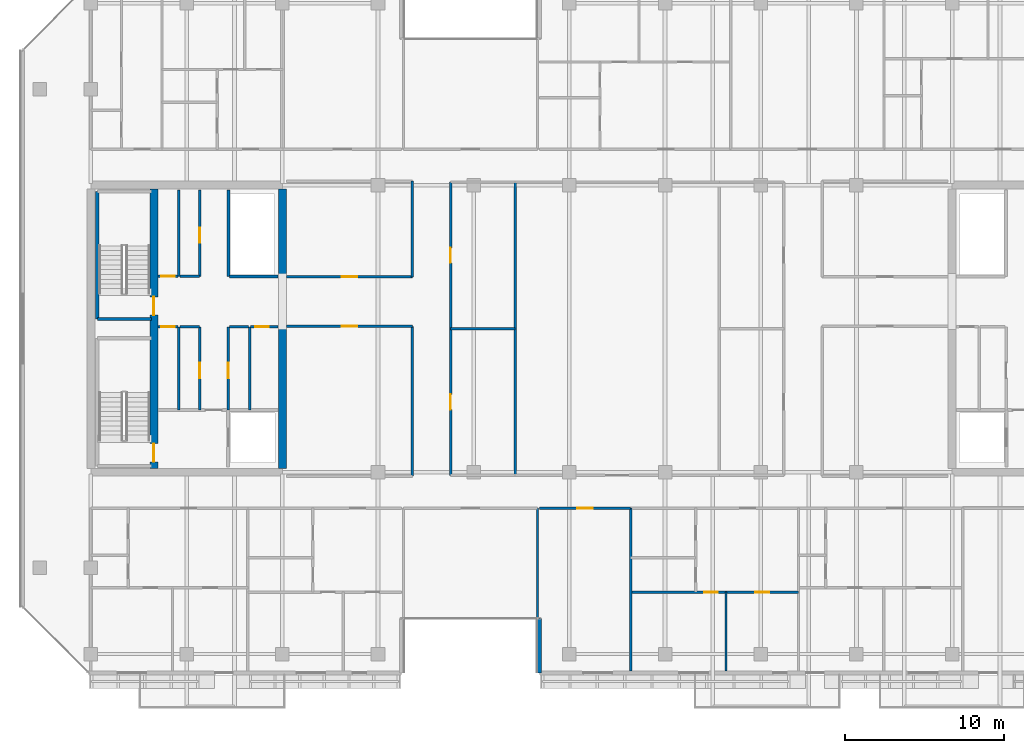
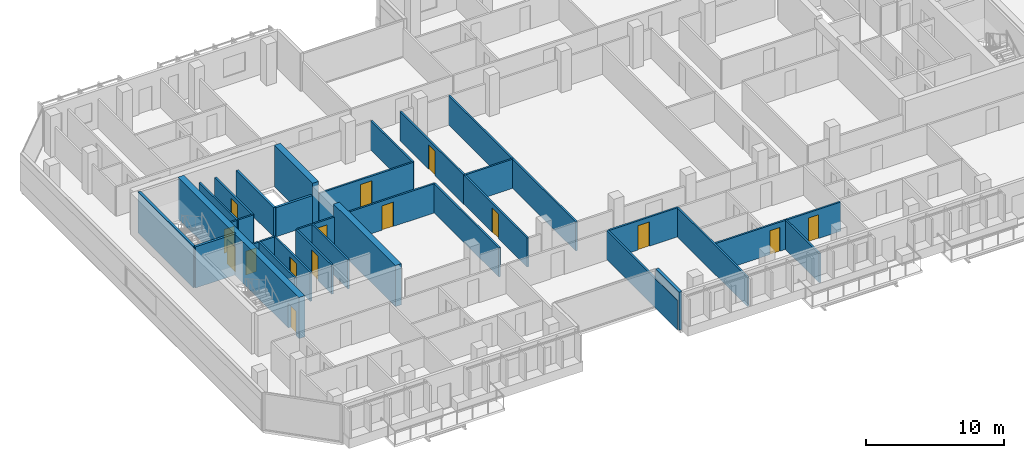
# One storey, part 20 of 31: 33 walls, 15 doors, 15 openings.
"""IFC4 building model written with IfcOpenShell, lengths in metres."""

from ifc_helpers import new_model, si_unit, direction, frame, frame_2d, origin, place, context, subcontext, project, spatial, rectangle, extrude, material, layer, layer_set, type_object, element, fill, save


model = new_model("IFC4")

# Units and contexts
model_context = context("Model", 3, precision=1e-05, world=origin(), true_north=direction((0.0, 1.0)))
body_context = subcontext(model_context, "Body", "Model", "MODEL_VIEW")
ifc_project = project(units=[si_unit("LENGTHUNIT", "METRE"), si_unit("AREAUNIT", "SQUARE_METRE"), si_unit("VOLUMEUNIT", "CUBIC_METRE"), si_unit("PLANEANGLEUNIT", "RADIAN"), si_unit("MASSUNIT", "GRAM", prefix="KILO")], contexts=[model_context])

# Site, building, storey
site_placement = place(None, origin())
site = spatial("IfcSite", under=ifc_project, at=site_placement, CompositionType="ELEMENT")
building_placement = place(site_placement, origin())
building = spatial("IfcBuilding", under=site, at=building_placement, Name="Tanjung Sevakor Pilgrim Tower", CompositionType="ELEMENT")
storey_placement = place(building_placement, frame((0.0, 0.0, 169.2900390625)))
storey = spatial("IfcBuildingStorey", under=building, at=storey_placement, Name="L47", CompositionType="ELEMENT", Elevation=169.2900390625)

# Walls
ifc_material_1 = material(Name="Concrete C60/75", Category="concrete")
ifc_layer_1 = layer(ifc_material_1, 0.5)
ifc_layer_set_1 = layer_set([ifc_layer_1], Name="WALL-CW-500")
wall_type_1 = type_object("IfcWallType", Name="WALL-CW-500", PredefinedType="SHEAR", material=ifc_layer_set_1)
wall_1_placement = place(storey_placement, frame((36.0, 24.85009765625, 0.0), z_axis=(0.0, 0.0, 1.0), x_axis=(0.0, 1.0, 0.0)))
element("IfcWall", 1, at=wall_1_placement, inside=storey, type_object=wall_type_1, Name="L47 W Core Inner Shear Wall South", PredefinedType="SHEAR", context=body_context, shape_type="SweptSolid", body=[
    extrude(rectangle(XDim=8.949951171875, YDim=0.5, at=frame_2d((4.47509765625, 0.0))), origin(), (0.0, 0.0, 1.0), 3.6298828125),
])
wall_2_placement = place(storey_placement, frame((36.0, 36.800048828125, 0.0), z_axis=(0.0, 0.0, 1.0), x_axis=(0.0, 1.0, 0.0)))
element("IfcWall", 2, at=wall_2_placement, inside=storey, type_object=wall_type_1, Name="L47 W Core Inner Shear Wall North", PredefinedType="SHEAR", context=body_context, shape_type="SweptSolid", body=[
    extrude(rectangle(XDim=5.550048828125, YDim=0.5, at=frame_2d((2.77490234375, 0.0))), origin(), (0.0, 0.0, 1.0), 3.6298828125),
])

# Wall, openings, doors
wall_3_placement = place(storey_placement, frame((27.949951171875, 24.85009765625, 0.0), z_axis=(0.0, 0.0, 1.0), x_axis=(0.0, 1.0, 0.0)))
wall_3 = element("IfcWall", 3, at=wall_3_placement, inside=storey, type_object=wall_type_1, Name="L47 W Core Stair Spine Wall", PredefinedType="SHEAR", context=body_context, shape_type="SweptSolid", body=[
    extrude(rectangle(XDim=17.5, YDim=0.5, at=frame_2d((8.75, 0.0))), origin(), (0.0, 0.0, 1.0), 3.6298828125),
])
opening_1_placement = place(wall_3_placement, frame((0.39990234375, 0.0, 0.0)))
opening_1 = element("IfcOpeningElement", 4, at=opening_1_placement, cuts=wall_3, Name="Opening ID-ST1", PredefinedType="OPENING", context=body_context, shape_type="SweptSolid", body=[
    extrude(rectangle(XDim=1.14990234375, YDim=2.14990234375, at=frame_2d((0.574951171875, 1.074951171875))), frame((0.0, 0.260009765625, 0.0), z_axis=(0.0, -1.0, 0.0), x_axis=(1.0, 0.0, 0.0)), (0.0, 0.0, 1.0), 0.52001953125),
])
opening_2_placement = place(wall_3_placement, frame((9.60009765625, 0.0, 0.0)))
opening_2 = element("IfcOpeningElement", 5, at=opening_2_placement, cuts=wall_3, Name="Opening ID-ST1", PredefinedType="OPENING", context=body_context, shape_type="SweptSolid", body=[
    extrude(rectangle(XDim=1.14990234375, YDim=2.14990234375, at=frame_2d((0.574951171875, 1.074951171875))), frame((0.0, 0.260009765625, 0.0), z_axis=(0.0, -1.0, 0.0), x_axis=(1.0, 0.0, 0.0)), (0.0, 0.0, 1.0), 0.52001953125),
])
ifc_material_2 = material(Name="Fire-Rated Steel S355J2", Category="steel")
door_type_1 = type_object("IfcDoorType", Name="DT-FIRE-1150", OperationType="NOTDEFINED", PredefinedType="DOOR", material=ifc_material_2)
door_1_placement = place(opening_1_placement, origin())
door_1 = element("IfcDoor", 6, at=door_1_placement, inside=storey, type_object=door_type_1, Name="L47 TS-W1 Stair Fire Door", OperationType="SINGLE_SWING_RIGHT", OverallHeight=2.14990234375, OverallWidth=1.14990234375, PredefinedType="DOOR", context=body_context, shape_type="SweptSolid", body=[
    extrude(rectangle(XDim=1.14990234375, YDim=2.14990234375, at=frame_2d((0.574951171875, 1.074951171875))), frame((0.0, 0.02490234375, 0.0), z_axis=(0.0, -1.0, 0.0), x_axis=(1.0, 0.0, 0.0)), (0.0, 0.0, 1.0), 0.050048828125),
])
fill(opening_1, door_1)
door_2_placement = place(opening_2_placement, origin())
door_2 = element("IfcDoor", 7, at=door_2_placement, inside=storey, type_object=door_type_1, Name="L47 TS-W2 Stair Fire Door", OperationType="SINGLE_SWING_LEFT", OverallHeight=2.14990234375, OverallWidth=1.14990234375, PredefinedType="DOOR", context=body_context, shape_type="SweptSolid", body=[
    extrude(rectangle(XDim=1.14990234375, YDim=2.14990234375, at=frame_2d((0.574951171875, 1.074951171875))), frame((0.0, 0.02490234375, 0.0), z_axis=(0.0, -1.0, 0.0), x_axis=(1.0, 0.0, 0.0)), (0.0, 0.0, 1.0), 0.050048828125),
])
fill(opening_2, door_2)

# Wall
ifc_material_3 = material(Name="Concrete C40/50", Category="concrete")
ifc_layer_2 = layer(ifc_material_3, 0.14990234375)
ifc_layer_set_2 = layer_set([ifc_layer_2], Name="WT-COMP-150")
wall_type_2 = type_object("IfcWallType", Name="WT-COMP-150", PredefinedType="SOLIDWALL", material=ifc_layer_set_2)
wall_4_placement = place(storey_placement, frame((29.52001953125, 28.5, 0.0), z_axis=(0.0, 0.0, 1.0), x_axis=(0.0, 1.0, 0.0)))
element("IfcWall", 8, at=wall_4_placement, inside=storey, type_object=wall_type_2, Name="L47 Partition IW-L47-003", PredefinedType="SOLIDWALL", context=body_context, shape_type="SweptSolid", body=[
    extrude(rectangle(XDim=5.219970703125, YDim=0.14990234375, at=frame_2d((2.60986328125, 0.0))), origin(), (0.0, 0.0, 1.0), 2.570068359375),
])

# Wall, opening, door
wall_5_placement = place(storey_placement, frame((28.219970703125, 33.719970703125, 0.0), z_axis=(0.0, 0.0, 1.0), x_axis=(1.0, 0.0, 0.0)))
wall_5 = element("IfcWall", 9, at=wall_5_placement, inside=storey, type_object=wall_type_2, Name="L47 Partition IW-L47-004", PredefinedType="SOLIDWALL", context=body_context, shape_type="SweptSolid", body=[
    extrude(rectangle(XDim=1.22998046875, YDim=0.14990234375, at=frame_2d((0.614990234375, 0.0))), origin(), (0.0, 0.0, 1.0), 2.570068359375),
])
opening_3_placement = place(wall_5_placement, frame((0.179931640625, 0.0, 0.0)))
opening_3 = element("IfcOpeningElement", 10, at=opening_3_placement, cuts=wall_5, Name="Opening ID-FD3", PredefinedType="OPENING", context=body_context, shape_type="SweptSolid", body=[
    extrude(rectangle(XDim=0.85009765625, YDim=2.10009765625, at=frame_2d((0.425048828125, 1.050048828125))), frame((0.0, 0.0849609375, 0.0), z_axis=(0.0, -1.0, 0.0), x_axis=(1.0, 0.0, 0.0)), (0.0, 0.0, 1.0), 0.169921875),
])
ifc_material_4 = material(Name="Fire-Rated Timber", Category="wood")
door_type_2 = type_object("IfcDoorType", Name="DT-FIRE-850", OperationType="NOTDEFINED", PredefinedType="DOOR", material=ifc_material_4)
door_3_placement = place(opening_3_placement, origin())
door_3 = element("IfcDoor", 11, at=door_3_placement, inside=storey, type_object=door_type_2, Name="L47 Cleaner Store Door", OperationType="SINGLE_SWING_RIGHT", OverallHeight=2.10009765625, OverallWidth=0.85009765625, PredefinedType="DOOR", context=body_context, shape_type="SweptSolid", body=[
    extrude(rectangle(XDim=0.85009765625, YDim=2.10009765625, at=frame_2d((0.425048828125, 1.050048828125))), frame((0.0, 0.02490234375, 0.0), z_axis=(0.0, -1.0, 0.0), x_axis=(1.0, 0.0, 0.0)), (0.0, 0.0, 1.0), 0.050048828125),
])
fill(opening_3, door_3)

# Wall
wall_6_placement = place(storey_placement, frame((29.580078125, 33.719970703125, 0.0), z_axis=(0.0, 0.0, 1.0), x_axis=(1.0, 0.0, 0.0)))
element("IfcWall", 12, at=wall_6_placement, inside=storey, type_object=wall_type_2, Name="L47 Partition IW-L47-005", PredefinedType="SOLIDWALL", context=body_context, shape_type="SweptSolid", body=[
    extrude(rectangle(XDim=1.219970703125, YDim=0.14990234375, at=frame_2d((0.60986328125, 0.0))), origin(), (0.0, 0.0, 1.0), 2.570068359375),
])

# Wall, opening, door
wall_7_placement = place(storey_placement, frame((30.820068359375, 28.5, 0.0), z_axis=(0.0, 0.0, 1.0), x_axis=(0.0, 1.0, 0.0)))
wall_7 = element("IfcWall", 13, at=wall_7_placement, inside=storey, type_object=wall_type_2, Name="L47 Partition IW-L47-006", PredefinedType="SOLIDWALL", context=body_context, shape_type="SweptSolid", body=[
    extrude(rectangle(XDim=5.219970703125, YDim=0.14990234375, at=frame_2d((2.60986328125, 0.0))), origin(), (0.0, 0.0, 1.0), 2.570068359375),
])
opening_4_placement = place(wall_7_placement, frame((2.0, 0.0, 0.0)))
opening_4 = element("IfcOpeningElement", 14, at=opening_4_placement, cuts=wall_7, Name="Opening ID-FD2", PredefinedType="OPENING", context=body_context, shape_type="SweptSolid", body=[
    extrude(rectangle(XDim=0.949951171875, YDim=2.14990234375, at=frame_2d((0.47509765625, 1.074951171875))), frame((0.0, 0.0849609375, 0.0), z_axis=(0.0, -1.0, 0.0), x_axis=(1.0, 0.0, 0.0)), (0.0, 0.0, 1.0), 0.169921875),
])
ifc_material_5 = material(Name="Fire-Rated Timber", Category="wood")
door_type_3 = type_object("IfcDoorType", Name="DT-FIRE-950", OperationType="NOTDEFINED", PredefinedType="DOOR", material=ifc_material_5)
door_4_placement = place(opening_4_placement, origin())
door_4 = element("IfcDoor", 15, at=door_4_placement, inside=storey, type_object=door_type_3, Name="L47 Housekeeping Pantry Door", OperationType="SINGLE_SWING_LEFT", OverallHeight=2.14990234375, OverallWidth=0.949951171875, PredefinedType="DOOR", context=body_context, shape_type="SweptSolid", body=[
    extrude(rectangle(XDim=0.949951171875, YDim=2.14990234375, at=frame_2d((0.47509765625, 1.074951171875))), frame((0.0, 0.02490234375, 0.0), z_axis=(0.0, -1.0, 0.0), x_axis=(1.0, 0.0, 0.0)), (0.0, 0.0, 1.0), 0.050048828125),
])
fill(opening_4, door_4)

# Walls
wall_8_placement = place(storey_placement, frame((33.949951171875, 28.5, 0.0), z_axis=(0.0, 0.0, 1.0), x_axis=(0.0, 1.0, 0.0)))
element("IfcWall", 16, at=wall_8_placement, inside=storey, type_object=wall_type_2, Name="L47 Partition IW-L47-007", PredefinedType="SOLIDWALL", context=body_context, shape_type="SweptSolid", body=[
    extrude(rectangle(XDim=5.219970703125, YDim=0.14990234375, at=frame_2d((2.60986328125, 0.0))), origin(), (0.0, 0.0, 1.0), 2.570068359375),
])
wall_9_placement = place(storey_placement, frame((32.679931640625, 33.719970703125, 0.0), z_axis=(0.0, 0.0, 1.0), x_axis=(1.0, 0.0, 0.0)))
element("IfcWall", 17, at=wall_9_placement, inside=storey, type_object=wall_type_2, Name="L47 Partition IW-L47-008", PredefinedType="SOLIDWALL", context=body_context, shape_type="SweptSolid", body=[
    extrude(rectangle(XDim=1.2099609375, YDim=0.14990234375, at=frame_2d((0.60498046875, 0.0))), origin(), (0.0, 0.0, 1.0), 2.570068359375),
])

# Wall, opening, door
wall_10_placement = place(storey_placement, frame((34.010009765625, 33.719970703125, 0.0), z_axis=(0.0, 0.0, 1.0), x_axis=(1.0, 0.0, 0.0)))
wall_10 = element("IfcWall", 18, at=wall_10_placement, inside=storey, type_object=wall_type_2, Name="L47 Partition IW-L47-009", PredefinedType="SOLIDWALL", context=body_context, shape_type="SweptSolid", body=[
    extrude(rectangle(XDim=1.719970703125, YDim=0.14990234375, at=frame_2d((0.85986328125, 0.0))), origin(), (0.0, 0.0, 1.0), 2.570068359375),
])
opening_5_placement = place(wall_10_placement, frame((0.280029296875, 0.0, 0.0)))
opening_5 = element("IfcOpeningElement", 19, at=opening_5_placement, cuts=wall_10, Name="Opening ID-FD3", PredefinedType="OPENING", context=body_context, shape_type="SweptSolid", body=[
    extrude(rectangle(XDim=0.85009765625, YDim=2.10009765625, at=frame_2d((0.425048828125, 1.050048828125))), frame((0.0, 0.0849609375, 0.0), z_axis=(0.0, -1.0, 0.0), x_axis=(1.0, 0.0, 0.0)), (0.0, 0.0, 1.0), 0.169921875),
])
door_5_placement = place(opening_5_placement, origin())
door_5 = element("IfcDoor", 20, at=door_5_placement, inside=storey, type_object=door_type_2, Name="L47 Service Store Door", OperationType="SINGLE_SWING_RIGHT", OverallHeight=2.10009765625, OverallWidth=0.85009765625, PredefinedType="DOOR", context=body_context, shape_type="SweptSolid", body=[
    extrude(rectangle(XDim=0.85009765625, YDim=2.10009765625, at=frame_2d((0.425048828125, 1.050048828125))), frame((0.0, 0.02490234375, 0.0), z_axis=(0.0, -1.0, 0.0), x_axis=(1.0, 0.0, 0.0)), (0.0, 0.0, 1.0), 0.050048828125),
])
fill(opening_5, door_5)

wall_11_placement = place(storey_placement, frame((32.6201171875, 28.5, 0.0), z_axis=(0.0, 0.0, 1.0), x_axis=(0.0, 1.0, 0.0)))
wall_11 = element("IfcWall", 21, at=wall_11_placement, inside=storey, type_object=wall_type_2, Name="L47 Partition IW-L47-010", PredefinedType="SOLIDWALL", context=body_context, shape_type="SweptSolid", body=[
    extrude(rectangle(XDim=5.219970703125, YDim=0.14990234375, at=frame_2d((2.60986328125, 0.0))), origin(), (0.0, 0.0, 1.0), 2.570068359375),
])
opening_6_placement = place(wall_11_placement, frame((2.0, 0.0, 0.0)))
opening_6 = element("IfcOpeningElement", 22, at=opening_6_placement, cuts=wall_11, Name="Opening ID-FD2", PredefinedType="OPENING", context=body_context, shape_type="SweptSolid", body=[
    extrude(rectangle(XDim=0.949951171875, YDim=2.14990234375, at=frame_2d((0.47509765625, 1.074951171875))), frame((0.0, 0.0849609375, 0.0), z_axis=(0.0, -1.0, 0.0), x_axis=(1.0, 0.0, 0.0)), (0.0, 0.0, 1.0), 0.169921875),
])
door_6_placement = place(opening_6_placement, origin())
door_6 = element("IfcDoor", 23, at=door_6_placement, inside=storey, type_object=door_type_3, Name="L47 Accessible WC Door", OperationType="SINGLE_SWING_LEFT", OverallHeight=2.14990234375, OverallWidth=0.949951171875, PredefinedType="DOOR", context=body_context, shape_type="SweptSolid", body=[
    extrude(rectangle(XDim=0.949951171875, YDim=2.14990234375, at=frame_2d((0.47509765625, 1.074951171875))), frame((0.0, 0.02490234375, 0.0), z_axis=(0.0, -1.0, 0.0), x_axis=(1.0, 0.0, 0.0)), (0.0, 0.0, 1.0), 0.050048828125),
])
fill(opening_6, door_6)

# Wall
wall_12_placement = place(storey_placement, frame((29.52001953125, 36.8798828125, 0.0), z_axis=(0.0, 0.0, 1.0), x_axis=(0.0, 1.0, 0.0)))
element("IfcWall", 24, at=wall_12_placement, inside=storey, type_object=wall_type_2, Name="L47 Partition IW-L47-011", PredefinedType="SOLIDWALL", context=body_context, shape_type="SweptSolid", body=[
    extrude(rectangle(XDim=5.420166015625, YDim=0.14990234375, at=frame_2d((2.7099609375, 0.0))), origin(), (0.0, 0.0, 1.0), 2.570068359375),
])

# Wall, opening, door
wall_13_placement = place(storey_placement, frame((28.219970703125, 36.8798828125, 0.0), z_axis=(0.0, 0.0, 1.0), x_axis=(1.0, 0.0, 0.0)))
wall_13 = element("IfcWall", 25, at=wall_13_placement, inside=storey, type_object=wall_type_2, Name="L47 Partition IW-L47-012", PredefinedType="SOLIDWALL", context=body_context, shape_type="SweptSolid", body=[
    extrude(rectangle(XDim=1.22998046875, YDim=0.14990234375, at=frame_2d((0.614990234375, 0.0))), origin(), (0.0, 0.0, 1.0), 2.570068359375),
])
opening_7_placement = place(wall_13_placement, frame((0.179931640625, 0.0, 0.0)))
opening_7 = element("IfcOpeningElement", 26, at=opening_7_placement, cuts=wall_13, Name="Opening ID-FD3", PredefinedType="OPENING", context=body_context, shape_type="SweptSolid", body=[
    extrude(rectangle(XDim=0.85009765625, YDim=2.10009765625, at=frame_2d((0.425048828125, 1.050048828125))), frame((0.0, 0.0849609375, 0.0), z_axis=(0.0, -1.0, 0.0), x_axis=(1.0, 0.0, 0.0)), (0.0, 0.0, 1.0), 0.169921875),
])
door_7_placement = place(opening_7_placement, origin())
door_7 = element("IfcDoor", 27, at=door_7_placement, inside=storey, type_object=door_type_2, Name="L47 Service Store Door", OperationType="SINGLE_SWING_RIGHT", OverallHeight=2.10009765625, OverallWidth=0.85009765625, PredefinedType="DOOR", context=body_context, shape_type="SweptSolid", body=[
    extrude(rectangle(XDim=0.85009765625, YDim=2.10009765625, at=frame_2d((0.425048828125, 1.050048828125))), frame((0.0, 0.02490234375, 0.0), z_axis=(0.0, -1.0, 0.0), x_axis=(1.0, 0.0, 0.0)), (0.0, 0.0, 1.0), 0.050048828125),
])
fill(opening_7, door_7)

# Wall
wall_14_placement = place(storey_placement, frame((29.580078125, 36.8798828125, 0.0), z_axis=(0.0, 0.0, 1.0), x_axis=(1.0, 0.0, 0.0)))
element("IfcWall", 28, at=wall_14_placement, inside=storey, type_object=wall_type_2, Name="L47 Partition IW-L47-013", PredefinedType="SOLIDWALL", context=body_context, shape_type="SweptSolid", body=[
    extrude(rectangle(XDim=1.219970703125, YDim=0.14990234375, at=frame_2d((0.60986328125, 0.0))), origin(), (0.0, 0.0, 1.0), 2.570068359375),
])

# Wall, opening, door
wall_15_placement = place(storey_placement, frame((30.820068359375, 36.8798828125, 0.0), z_axis=(0.0, 0.0, 1.0), x_axis=(0.0, 1.0, 0.0)))
wall_15 = element("IfcWall", 29, at=wall_15_placement, inside=storey, type_object=wall_type_2, Name="L47 Partition IW-L47-014", PredefinedType="SOLIDWALL", context=body_context, shape_type="SweptSolid", body=[
    extrude(rectangle(XDim=5.420166015625, YDim=0.14990234375, at=frame_2d((2.7099609375, 0.0))), origin(), (0.0, 0.0, 1.0), 2.570068359375),
])
opening_8_placement = place(wall_15_placement, frame((2.10009765625, 0.0, 0.0)))
opening_8 = element("IfcOpeningElement", 30, at=opening_8_placement, cuts=wall_15, Name="Opening ID-FD2", PredefinedType="OPENING", context=body_context, shape_type="SweptSolid", body=[
    extrude(rectangle(XDim=0.949951171875, YDim=2.14990234375, at=frame_2d((0.47509765625, 1.074951171875))), frame((0.0, 0.0849609375, 0.0), z_axis=(0.0, -1.0, 0.0), x_axis=(1.0, 0.0, 0.0)), (0.0, 0.0, 1.0), 0.169921875),
])
door_8_placement = place(opening_8_placement, origin())
door_8 = element("IfcDoor", 31, at=door_8_placement, inside=storey, type_object=door_type_3, Name="L47 Core Reading Room Door", OperationType="SINGLE_SWING_LEFT", OverallHeight=2.14990234375, OverallWidth=0.949951171875, PredefinedType="DOOR", context=body_context, shape_type="SweptSolid", body=[
    extrude(rectangle(XDim=0.949951171875, YDim=2.14990234375, at=frame_2d((0.47509765625, 1.074951171875))), frame((0.0, 0.02490234375, 0.0), z_axis=(0.0, -1.0, 0.0), x_axis=(1.0, 0.0, 0.0)), (0.0, 0.0, 1.0), 0.050048828125),
])
fill(opening_8, door_8)

wall_16_placement = place(storey_placement, frame((36.27001953125, 33.75, 0.0), z_axis=(0.0, 0.0, 1.0), x_axis=(1.0, 0.0, 0.0)))
wall_16 = element("IfcWall", 32, at=wall_16_placement, inside=storey, type_object=wall_type_2, Name="L47 Partition IW-L47-034", PredefinedType="SOLIDWALL", context=body_context, shape_type="SweptSolid", body=[
    extrude(rectangle(XDim=7.8798828125, YDim=0.14990234375, at=frame_2d((3.93994140625, 0.0))), origin(), (0.0, 0.0, 1.0), 2.570068359375),
])
opening_9_placement = place(wall_16_placement, frame((3.465087890625, 0.0, 0.0)))
opening_9 = element("IfcOpeningElement", 33, at=opening_9_placement, cuts=wall_16, Name="Opening ID-RM1", PredefinedType="OPENING", context=body_context, shape_type="SweptSolid", body=[
    extrude(rectangle(XDim=0.949951171875, YDim=2.14990234375, at=frame_2d((0.47509765625, 1.074951171875))), frame((0.0, 0.0849609375, 0.0), z_axis=(0.0, -1.0, 0.0), x_axis=(1.0, 0.0, 0.0)), (0.0, 0.0, 1.0), 0.169921875),
])
ifc_material_6 = material(Name="Hardwood Timber", Category="wood")
door_type_4 = type_object("IfcDoorType", Name="DT-INT-950", OperationType="NOTDEFINED", PredefinedType="DOOR", material=ifc_material_6)
door_9_placement = place(opening_9_placement, origin())
door_9 = element("IfcDoor", 34, at=door_9_placement, inside=storey, type_object=door_type_4, Name="L47 West Inboard South Door", OperationType="SINGLE_SWING_RIGHT", OverallHeight=2.14990234375, OverallWidth=0.949951171875, PredefinedType="DOOR", context=body_context, shape_type="SweptSolid", body=[
    extrude(rectangle(XDim=0.949951171875, YDim=2.14990234375, at=frame_2d((0.47509765625, 1.074951171875))), frame((0.0, 0.02490234375, 0.0), z_axis=(0.0, -1.0, 0.0), x_axis=(1.0, 0.0, 0.0)), (0.0, 0.0, 1.0), 0.050048828125),
])
fill(opening_9, door_9)

# Wall
wall_17_placement = place(storey_placement, frame((44.14990234375, 24.35009765625, 0.0), z_axis=(0.0, 0.0, 1.0), x_axis=(0.0, 1.0, 0.0)))
element("IfcWall", 35, at=wall_17_placement, inside=storey, type_object=wall_type_2, Name="L47 Partition IW-L47-035", PredefinedType="SOLIDWALL", context=body_context, shape_type="SweptSolid", body=[
    extrude(rectangle(XDim=9.39990234375, YDim=0.14990234375, at=frame_2d((4.699951171875, 0.0))), origin(), (0.0, 0.0, 1.0), 2.570068359375),
])

# Wall, opening, door
wall_18_placement = place(storey_placement, frame((36.27001953125, 36.85009765625, 0.0), z_axis=(0.0, 0.0, 1.0), x_axis=(1.0, 0.0, 0.0)))
wall_18 = element("IfcWall", 36, at=wall_18_placement, inside=storey, type_object=wall_type_2, Name="L47 Partition IW-L47-036", PredefinedType="SOLIDWALL", context=body_context, shape_type="SweptSolid", body=[
    extrude(rectangle(XDim=7.8798828125, YDim=0.14990234375, at=frame_2d((3.93994140625, 0.0))), origin(), (0.0, 0.0, 1.0), 2.570068359375),
])
opening_10_placement = place(wall_18_placement, frame((3.465087890625, 0.0, 0.0)))
opening_10 = element("IfcOpeningElement", 37, at=opening_10_placement, cuts=wall_18, Name="Opening ID-RM1", PredefinedType="OPENING", context=body_context, shape_type="SweptSolid", body=[
    extrude(rectangle(XDim=0.949951171875, YDim=2.14990234375, at=frame_2d((0.47509765625, 1.074951171875))), frame((0.0, 0.0849609375, 0.0), z_axis=(0.0, -1.0, 0.0), x_axis=(1.0, 0.0, 0.0)), (0.0, 0.0, 1.0), 0.169921875),
])
door_10_placement = place(opening_10_placement, origin())
door_10 = element("IfcDoor", 38, at=door_10_placement, inside=storey, type_object=door_type_4, Name="L47 West Inboard North Door", OperationType="SINGLE_SWING_LEFT", OverallHeight=2.14990234375, OverallWidth=0.949951171875, PredefinedType="DOOR", context=body_context, shape_type="SweptSolid", body=[
    extrude(rectangle(XDim=0.949951171875, YDim=2.14990234375, at=frame_2d((0.47509765625, 1.074951171875))), frame((0.0, 0.02490234375, 0.0), z_axis=(0.0, -1.0, 0.0), x_axis=(1.0, 0.0, 0.0)), (0.0, 0.0, 1.0), 0.050048828125),
])
fill(opening_10, door_10)

# Walls
wall_19_placement = place(storey_placement, frame((44.14990234375, 36.85009765625, 0.0), z_axis=(0.0, 0.0, 1.0), x_axis=(0.0, 1.0, 0.0)))
element("IfcWall", 39, at=wall_19_placement, inside=storey, type_object=wall_type_2, Name="L47 Partition IW-L47-038", PredefinedType="SOLIDWALL", context=body_context, shape_type="SweptSolid", body=[
    extrude(rectangle(XDim=6.0, YDim=0.14990234375, at=frame_2d((3.0, 0.0))), origin(), (0.0, 0.0, 1.0), 2.570068359375),
])
wall_20_placement = place(storey_placement, frame((46.550048828125, 33.60009765625, 0.0), z_axis=(0.0, 0.0, 1.0), x_axis=(1.0, 0.0, 0.0)))
element("IfcWall", 40, at=wall_20_placement, inside=storey, type_object=wall_type_2, Name="L47 Partition IW-L47-046", PredefinedType="SOLIDWALL", context=body_context, shape_type="SweptSolid", body=[
    extrude(rectangle(XDim=4.050048828125, YDim=0.14990234375, at=frame_2d((2.02490234375, 0.0))), origin(), (0.0, 0.0, 1.0), 2.570068359375),
])

# Wall, opening, door
wall_21_placement = place(storey_placement, frame((46.550048828125, 24.39990234375, 0.0), z_axis=(0.0, 0.0, 1.0), x_axis=(0.0, 1.0, 0.0)))
wall_21 = element("IfcWall", 41, at=wall_21_placement, inside=storey, type_object=wall_type_2, Name="L47 Partition IW-L47-047", PredefinedType="SOLIDWALL", context=body_context, shape_type="SweptSolid", body=[
    extrude(rectangle(XDim=9.2001953125, YDim=0.14990234375, at=frame_2d((4.60009765625, 0.0))), origin(), (0.0, 0.0, 1.0), 2.570068359375),
])
opening_11_placement = place(wall_21_placement, frame((4.125, 0.0, 0.0)))
opening_11 = element("IfcOpeningElement", 42, at=opening_11_placement, cuts=wall_21, Name="Opening ID-RM1", PredefinedType="OPENING", context=body_context, shape_type="SweptSolid", body=[
    extrude(rectangle(XDim=0.949951171875, YDim=2.14990234375, at=frame_2d((0.47509765625, 1.074951171875))), frame((0.0, 0.0849609375, 0.0), z_axis=(0.0, -1.0, 0.0), x_axis=(1.0, 0.0, 0.0)), (0.0, 0.0, 1.0), 0.169921875),
])
door_11_placement = place(opening_11_placement, origin())
door_11 = element("IfcDoor", 43, at=door_11_placement, inside=storey, type_object=door_type_4, Name="L47 Male Ablution Door", OperationType="SINGLE_SWING_RIGHT", OverallHeight=2.14990234375, OverallWidth=0.949951171875, PredefinedType="DOOR", context=body_context, shape_type="SweptSolid", body=[
    extrude(rectangle(XDim=0.949951171875, YDim=2.14990234375, at=frame_2d((0.47509765625, 1.074951171875))), frame((0.0, 0.02490234375, 0.0), z_axis=(0.0, -1.0, 0.0), x_axis=(1.0, 0.0, 0.0)), (0.0, 0.0, 1.0), 0.050048828125),
])
fill(opening_11, door_11)

wall_22_placement = place(storey_placement, frame((46.550048828125, 33.60009765625, 0.0), z_axis=(0.0, 0.0, 1.0), x_axis=(0.0, 1.0, 0.0)))
wall_22 = element("IfcWall", 44, at=wall_22_placement, inside=storey, type_object=wall_type_2, Name="L47 Partition IW-L47-049", PredefinedType="SOLIDWALL", context=body_context, shape_type="SweptSolid", body=[
    extrude(rectangle(XDim=9.199951171875, YDim=0.14990234375, at=frame_2d((4.60009765625, 0.0))), origin(), (0.0, 0.0, 1.0), 2.570068359375),
])
opening_12_placement = place(wall_22_placement, frame((4.125, 0.0, 0.0)))
opening_12 = element("IfcOpeningElement", 45, at=opening_12_placement, cuts=wall_22, Name="Opening ID-RM1", PredefinedType="OPENING", context=body_context, shape_type="SweptSolid", body=[
    extrude(rectangle(XDim=0.949951171875, YDim=2.14990234375, at=frame_2d((0.47509765625, 1.074951171875))), frame((0.0, 0.0849609375, 0.0), z_axis=(0.0, -1.0, 0.0), x_axis=(1.0, 0.0, 0.0)), (0.0, 0.0, 1.0), 0.169921875),
])
door_12_placement = place(opening_12_placement, origin())
door_12 = element("IfcDoor", 46, at=door_12_placement, inside=storey, type_object=door_type_4, Name="L47 Male Washroom Door", OperationType="SINGLE_SWING_LEFT", OverallHeight=2.14990234375, OverallWidth=0.949951171875, PredefinedType="DOOR", context=body_context, shape_type="SweptSolid", body=[
    extrude(rectangle(XDim=0.949951171875, YDim=2.14990234375, at=frame_2d((0.47509765625, 1.074951171875))), frame((0.0, 0.02490234375, 0.0), z_axis=(0.0, -1.0, 0.0), x_axis=(1.0, 0.0, 0.0)), (0.0, 0.0, 1.0), 0.050048828125),
])
fill(opening_12, door_12)

# Walls
wall_23_placement = place(storey_placement, frame((50.60009765625, 24.39990234375, 0.0), z_axis=(0.0, 0.0, 1.0), x_axis=(0.0, 1.0, 0.0)))
element("IfcWall", 47, at=wall_23_placement, inside=storey, type_object=wall_type_2, Name="L47 Partition IW-L47-052", PredefinedType="SOLIDWALL", context=body_context, shape_type="SweptSolid", body=[
    extrude(rectangle(XDim=18.400146484375, YDim=0.14990234375, at=frame_2d((9.2001953125, 0.0))), origin(), (0.0, 0.0, 1.0), 2.570068359375),
])
for number, where, z_axis, x_axis, name in (
    (48, (52.0, 12.14990234375, 0.0), (0.0, 0.0, 1.0), (0.0, 1.0, 0.0), "L47 Partition IW-L47-061"),
    (49, (57.841064453125, 12.14990234375, 0.0), (0.0, 0.0, 1.0), (0.0, 1.0, 0.0), "L47 Partition IW-L47-078"),
):
    element("IfcWall", number, at=place(storey_placement, frame(where, z_axis=z_axis, x_axis=x_axis)), inside=storey, type_object=wall_type_2, Name=name, PredefinedType="SOLIDWALL", context=body_context, shape_type="SweptSolid", body=[
        extrude(rectangle(XDim=10.2001953125, YDim=0.14990234375, at=frame_2d((5.10009765625, 0.0))), origin(), (0.0, 0.0, 1.0), 2.570068359375),
    ])

# Wall, opening, door
wall_24_placement = place(storey_placement, frame((52.1201171875, 22.35009765625, 0.0), z_axis=(0.0, 0.0, 1.0), x_axis=(1.0, 0.0, 0.0)))
wall_24 = element("IfcWall", 50, at=wall_24_placement, inside=storey, type_object=wall_type_2, Name="L47 Partition IW-L47-079", PredefinedType="SOLIDWALL", context=body_context, shape_type="SweptSolid", body=[
    extrude(rectangle(XDim=5.720947265625, YDim=0.14990234375, at=frame_2d((2.8603515625, 0.0))), origin(), (0.0, 0.0, 1.0), 2.570068359375),
])
opening_13_placement = place(wall_24_placement, frame((2.385498046875, 0.0, 0.0)))
opening_13 = element("IfcOpeningElement", 51, at=opening_13_placement, cuts=wall_24, Name="Opening ID-FD2", PredefinedType="OPENING", context=body_context, shape_type="SweptSolid", body=[
    extrude(rectangle(XDim=0.949951171875, YDim=2.14990234375, at=frame_2d((0.47509765625, 1.074951171875))), frame((0.0, 0.0849609375, 0.0), z_axis=(0.0, -1.0, 0.0), x_axis=(1.0, 0.0, 0.0)), (0.0, 0.0, 1.0), 0.169921875),
])
door_13_placement = place(opening_13_placement, origin())
door_13 = element("IfcDoor", 52, at=door_13_placement, inside=storey, type_object=door_type_3, Name="Housekeeping Pantry Door", OperationType="SINGLE_SWING_LEFT", OverallHeight=2.14990234375, OverallWidth=0.949951171875, PredefinedType="DOOR", context=body_context, shape_type="SweptSolid", body=[
    extrude(rectangle(XDim=0.949951171875, YDim=2.14990234375, at=frame_2d((0.47509765625, 1.074951171875))), frame((0.0, 0.02490234375, 0.0), z_axis=(0.0, -1.0, 0.0), x_axis=(1.0, 0.0, 0.0)), (0.0, 0.0, 1.0), 0.050048828125),
])
fill(opening_13, door_13)

# Walls
ifc_material_7 = material(Name="Precast concrete C45/55", Category="concrete")
ifc_layer_3 = layer(ifc_material_7, 0.25)
ifc_layer_set_3 = layer_set([ifc_layer_3], Name="WT-EW-STN3")
wall_type_3 = type_object("IfcWallType", Name="WT-EW-STN3", PredefinedType="SOLIDWALL", material=ifc_layer_set_3)
wall_25_placement = place(storey_placement, frame((52.125, 15.425048828125, 0.0), z_axis=(0.0, 0.0, 1.0), x_axis=(0.0, -1.0, 0.0)))
element("IfcWall", 53, at=wall_25_placement, inside=storey, type_object=wall_type_3, Name="L47 MAIN Exterior Wall 4", PredefinedType="SOLIDWALL", context=body_context, shape_type="SweptSolid", body=[
    extrude(rectangle(XDim=3.400146484375, YDim=0.25, at=frame_2d((1.7001953125, 0.0))), origin(), (0.0, 0.0, 1.0), 3.35009765625),
])
ifc_material_8 = material(Name="Concrete C40/50", Category="concrete")
ifc_layer_4 = layer(ifc_material_8, 0.199951171875)
ifc_layer_set_4 = layer_set([ifc_layer_4], Name="WT-FIRE-200")
wall_type_4 = type_object("IfcWallType", Name="WT-FIRE-200", PredefinedType="SOLIDWALL", material=ifc_layer_set_4)
wall_26_placement = place(storey_placement, frame((24.39990234375, 34.199951171875, 0.0), z_axis=(0.0, 0.0, 1.0), x_axis=(1.0, 0.0, 0.0)))
element("IfcWall", 54, at=wall_26_placement, inside=storey, type_object=wall_type_4, Name="L47 TS-W2 Shaft Wall 1", PredefinedType="SOLIDWALL", context=body_context, shape_type="SweptSolid", body=[
    extrude(rectangle(XDim=3.400146484375, YDim=0.199951171875, at=frame_2d((1.7001953125, 0.0))), origin(), (0.0, 0.0, 1.0), 3.6298828125),
])
wall_27_placement = place(storey_placement, frame((24.39990234375, 42.199951171875, 0.0), z_axis=(0.0, 0.0, 1.0), x_axis=(0.0, -1.0, 0.0)))
element("IfcWall", 55, at=wall_27_placement, inside=storey, type_object=wall_type_4, Name="L47 TS-W2 Shaft Wall 3", PredefinedType="SOLIDWALL", context=body_context, shape_type="SweptSolid", body=[
    extrude(rectangle(XDim=8.0, YDim=0.199951171875, at=frame_2d((4.0, 0.0))), origin(), (0.0, 0.0, 1.0), 3.6298828125),
])
ifc_material_9 = material(Name="Concrete C40/50", Category="concrete")
ifc_layer_5 = layer(ifc_material_9, 0.199951171875)
ifc_layer_set_5 = layer_set([ifc_layer_5], Name="WT-FPRT-200")
wall_type_5 = type_object("IfcWallType", Name="WT-FPRT-200", PredefinedType="SOLIDWALL", material=ifc_layer_set_5)
wall_28_placement = place(storey_placement, frame((32.679931640625, 36.8798828125, 0.0), z_axis=(0.0, 0.0, 1.0), x_axis=(1.0, 0.0, 0.0)))
element("IfcWall", 56, at=wall_28_placement, inside=storey, type_object=wall_type_5, Name="L47 Partition IW-L47-015", PredefinedType="SOLIDWALL", context=body_context, shape_type="SweptSolid", body=[
    extrude(rectangle(XDim=3.050048828125, YDim=0.199951171875, at=frame_2d((1.52490234375, 0.0))), origin(), (0.0, 0.0, 1.0), 2.570068359375),
])
wall_29_placement = place(storey_placement, frame((32.6201171875, 36.8798828125, 0.0), z_axis=(0.0, 0.0, 1.0), x_axis=(0.0, 1.0, 0.0)))
element("IfcWall", 57, at=wall_29_placement, inside=storey, type_object=wall_type_5, Name="L47 Partition IW-L47-016", PredefinedType="SOLIDWALL", context=body_context, shape_type="SweptSolid", body=[
    extrude(rectangle(XDim=5.420166015625, YDim=0.199951171875, at=frame_2d((2.7099609375, 0.0))), origin(), (0.0, 0.0, 1.0), 2.570068359375),
])
ifc_material_10 = material(Name="Gypsum Board Partition", Category="gypsum board")
ifc_layer_6 = layer(ifc_material_10, 0.14990234375)
ifc_layer_set_6 = layer_set([ifc_layer_6], Name="WT-PART-150")
wall_type_6 = type_object("IfcWallType", Name="WT-PART-150", PredefinedType="PARTITIONING", material=ifc_layer_set_6)
wall_30_placement = place(storey_placement, frame((63.820068359375, 12.14990234375, 0.0), z_axis=(0.0, 0.0, 1.0), x_axis=(0.0, 1.0, 0.0)))
element("IfcWall", 58, at=wall_30_placement, inside=storey, type_object=wall_type_6, Name="L47 Partition IW-L47-083", PredefinedType="PARTITIONING", context=body_context, shape_type="SweptSolid", body=[
    extrude(rectangle(XDim=4.93408203125, YDim=0.14990234375, at=frame_2d((2.467041015625, 0.0))), origin(), (0.0, 0.0, 1.0), 2.570068359375),
])

# Wall, openings, doors
wall_31_placement = place(storey_placement, frame((57.841064453125, 17.083984375, 0.0), z_axis=(0.0, 0.0, 1.0), x_axis=(1.0, 0.0, 0.0)))
wall_31 = element("IfcWall", 59, at=wall_31_placement, inside=storey, type_object=wall_type_6, Name="L47 Partition IW-L47-084", PredefinedType="PARTITIONING", context=body_context, shape_type="SweptSolid", body=[
    extrude(rectangle(XDim=10.52685546875, YDim=0.14990234375, at=frame_2d((5.263427734375, 0.0))), origin(), (0.0, 0.0, 1.0), 2.570068359375),
])
opening_14_placement = place(wall_31_placement, frame((4.60400390625, 0.0, 0.0)))
opening_14 = element("IfcOpeningElement", 60, at=opening_14_placement, cuts=wall_31, Name="Opening ID-WC1", PredefinedType="OPENING", context=body_context, shape_type="SweptSolid", body=[
    extrude(rectangle(XDim=0.85009765625, YDim=2.10009765625, at=frame_2d((0.425048828125, 1.050048828125))), frame((0.0, 0.0849609375, 0.0), z_axis=(0.0, -1.0, 0.0), x_axis=(1.0, 0.0, 0.0)), (0.0, 0.0, 1.0), 0.169921875),
])
opening_15_placement = place(wall_31_placement, frame((7.827880859375, 0.0, 0.0)))
opening_15 = element("IfcOpeningElement", 61, at=opening_15_placement, cuts=wall_31, Name="Opening ID-WC1", PredefinedType="OPENING", context=body_context, shape_type="SweptSolid", body=[
    extrude(rectangle(XDim=0.85009765625, YDim=2.10009765625, at=frame_2d((0.425048828125, 1.050048828125))), frame((0.0, 0.0849609375, 0.0), z_axis=(0.0, -1.0, 0.0), x_axis=(1.0, 0.0, 0.0)), (0.0, 0.0, 1.0), 0.169921875),
])
ifc_material_11 = material(Name="Moisture-Resistant Timber", Category="wood")
door_type_5 = type_object("IfcDoorType", Name="DT-INT-850", OperationType="NOTDEFINED", PredefinedType="DOOR", material=ifc_material_11)
door_14_placement = place(opening_14_placement, origin())
door_14 = element("IfcDoor", 62, at=door_14_placement, inside=storey, type_object=door_type_5, Name="Suite Bedroom 1 Door", OperationType="SINGLE_SWING_RIGHT", OverallHeight=2.10009765625, OverallWidth=0.85009765625, PredefinedType="DOOR", context=body_context, shape_type="SweptSolid", body=[
    extrude(rectangle(XDim=0.85009765625, YDim=2.10009765625, at=frame_2d((0.425048828125, 1.050048828125))), frame((0.0, 0.02490234375, 0.0), z_axis=(0.0, -1.0, 0.0), x_axis=(1.0, 0.0, 0.0)), (0.0, 0.0, 1.0), 0.050048828125),
])
fill(opening_14, door_14)
door_15_placement = place(opening_15_placement, origin())
door_15 = element("IfcDoor", 63, at=door_15_placement, inside=storey, type_object=door_type_5, Name="Suite Bedroom 2 Door", OperationType="SINGLE_SWING_LEFT", OverallHeight=2.10009765625, OverallWidth=0.85009765625, PredefinedType="DOOR", context=body_context, shape_type="SweptSolid", body=[
    extrude(rectangle(XDim=0.85009765625, YDim=2.10009765625, at=frame_2d((0.425048828125, 1.050048828125))), frame((0.0, 0.02490234375, 0.0), z_axis=(0.0, -1.0, 0.0), x_axis=(1.0, 0.0, 0.0)), (0.0, 0.0, 1.0), 0.050048828125),
])
fill(opening_15, door_15)

save(model, "model.ifc")
